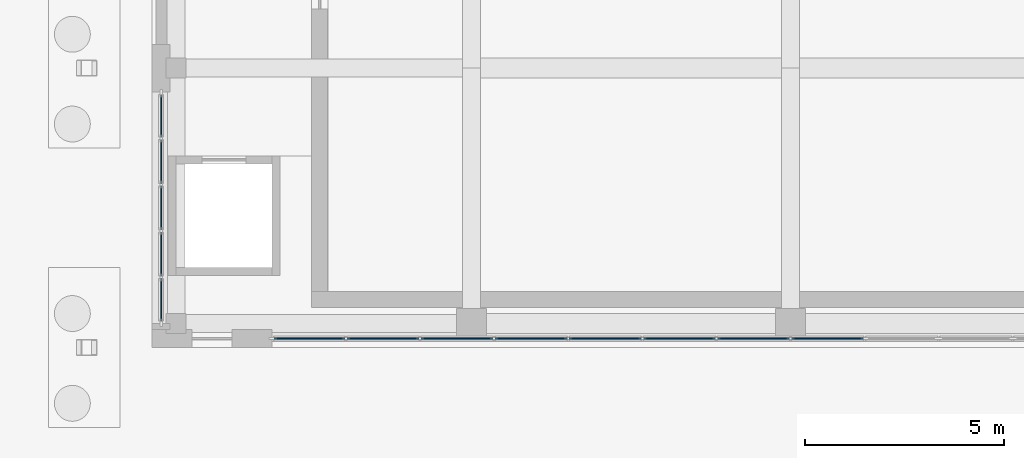
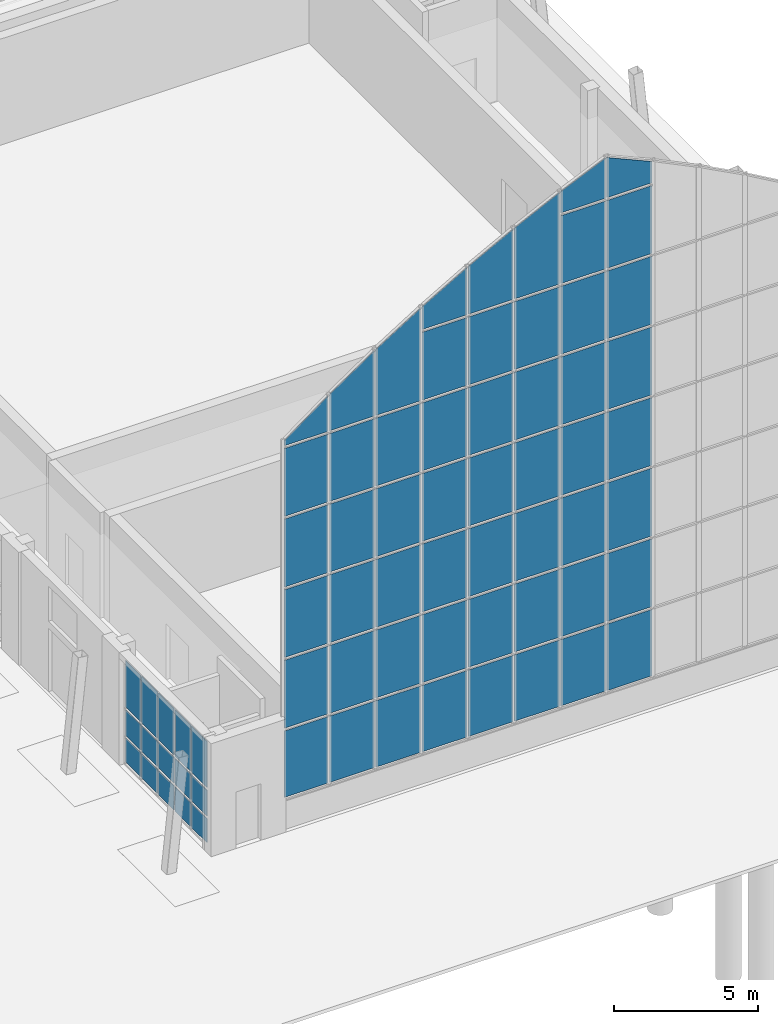
# One storey, part 92 of 144: 70 plates, 2 elements without a shape of their own.
"""IFC4 building model written with IfcOpenShell, lengths in metres."""

from ifc_helpers import new_model, si_unit, direction, frame, origin, origin_2d, place, context, subcontext, project, spatial, polyline, rectangle, outline, extrude, material, layer, layer_set, type_object, element, aggregate, save


model = new_model("IFC4")

# Units and contexts
model_context = context("Model", 3, precision=1e-05, world=origin(), true_north=direction((0.0, 1.0)))
body_context = subcontext(model_context, "Body", "Model", "MODEL_VIEW")
ifc_project = project(units=[si_unit("LENGTHUNIT", "METRE"), si_unit("AREAUNIT", "SQUARE_METRE"), si_unit("VOLUMEUNIT", "CUBIC_METRE"), si_unit("PLANEANGLEUNIT", "RADIAN"), si_unit("MASSUNIT", "GRAM", prefix="KILO")], contexts=[model_context])

# Site, building, storey
site_placement = place(None, origin())
site = spatial("IfcSite", under=ifc_project, at=site_placement, CompositionType="ELEMENT")
building_placement = place(site_placement, origin())
building = spatial("IfcBuilding", under=site, at=building_placement, Name="Lantern Court Media Centre", CompositionType="ELEMENT")
storey_placement = place(building_placement, origin())
storey = spatial("IfcBuildingStorey", under=building, at=storey_placement, Name="L00", CompositionType="ELEMENT", Elevation=0.0)

# Curtain wall, plates
ifc_material_1 = material(Name="Aluminium and glass", Category="aluminium")
ifc_layer_1 = layer(ifc_material_1, 0.14990234375)
ifc_layer_set_1 = layer_set([ifc_layer_1], Name="Aluminium and glass")
curtain_wall_type = type_object("IfcCurtainWallType", Name="Hall lancet glazing", PredefinedType="NOTDEFINED", material=ifc_layer_set_1)
curtain_wall_1_placement = place(storey_placement, origin())
curtain_wall_1 = element("IfcCurtainWall", 1, at=curtain_wall_1_placement, inside=storey, type_object=curtain_wall_type, Name="Studio Hall foyer glazing 1", PredefinedType="NOTDEFINED")
ifc_material_2 = material(Name="Laminated glass 6+6", Category="glass")
ifc_layer_2 = layer(ifc_material_2, 0.028076171875)
ifc_layer_set_2 = layer_set([ifc_layer_2], Name="Laminated glass 6+6")
plate_type = type_object("IfcPlateType", Name="HP", PredefinedType="CURTAIN_PANEL", material=ifc_layer_set_2)
plate_1_placement = place(storey_placement, frame((72.22509765625, -0.804931640625, 0.119873046875), z_axis=(0.0, 0.0, 1.0), x_axis=(0.0, 1.0, 0.0)))
plate_1 = element("IfcPlate", 2, at=plate_1_placement, type_object=plate_type, Name="HCW-V21 panel 1.1", PredefinedType="CURTAIN_PANEL", context=body_context, shape_type="SweptSolid", body=[
    extrude(rectangle(XDim=1.070068359375, YDim=0.028076171875, at=origin_2d()), origin(), (0.0, 0.0, 1.0), 1.02001953125),
])
plate_2_placement = place(storey_placement, frame((72.22509765625, -0.804931640625, 1.260009765625), z_axis=(0.0, 0.0, 1.0), x_axis=(0.0, 1.0, 0.0)))
plate_2 = element("IfcPlate", 3, at=plate_2_placement, type_object=plate_type, Name="HCW-V21 panel 1.2", PredefinedType="CURTAIN_PANEL", context=body_context, shape_type="SweptSolid", body=[
    extrude(rectangle(XDim=1.070068359375, YDim=0.028076171875, at=origin_2d()), origin(), (0.0, 0.0, 1.0), 1.080078125),
])
plate_3_placement = place(storey_placement, frame((72.22509765625, -0.804931640625, 2.4599609375), z_axis=(0.0, 0.0, 1.0), x_axis=(0.0, 1.0, 0.0)))
plate_3 = element("IfcPlate", 4, at=plate_3_placement, type_object=plate_type, Name="HCW-V21 panel 1.3", PredefinedType="CURTAIN_PANEL", context=body_context, shape_type="SweptSolid", body=[
    extrude(rectangle(XDim=1.070068359375, YDim=0.028076171875, at=origin_2d()), origin(), (0.0, 0.0, 1.0), 1.969970703125),
])
plate_4_placement = place(storey_placement, frame((72.22509765625, 0.340087890625, 0.119873046875), z_axis=(0.0, 0.0, 1.0), x_axis=(0.0, 1.0, 0.0)))
plate_4 = element("IfcPlate", 5, at=plate_4_placement, type_object=plate_type, Name="HCW-V21 panel 2.1", PredefinedType="CURTAIN_PANEL", context=body_context, shape_type="SweptSolid", body=[
    extrude(rectangle(XDim=1.10009765625, YDim=0.028076171875, at=origin_2d()), origin(), (0.0, 0.0, 1.0), 1.02001953125),
])
plate_5_placement = place(storey_placement, frame((72.22509765625, 0.340087890625, 1.260009765625), z_axis=(0.0, 0.0, 1.0), x_axis=(0.0, 1.0, 0.0)))
plate_5 = element("IfcPlate", 6, at=plate_5_placement, type_object=plate_type, Name="HCW-V21 panel 2.2", PredefinedType="CURTAIN_PANEL", context=body_context, shape_type="SweptSolid", body=[
    extrude(rectangle(XDim=1.10009765625, YDim=0.028076171875, at=origin_2d()), origin(), (0.0, 0.0, 1.0), 1.080078125),
])
plate_6_placement = place(storey_placement, frame((72.22509765625, 0.340087890625, 2.4599609375), z_axis=(0.0, 0.0, 1.0), x_axis=(0.0, 1.0, 0.0)))
plate_6 = element("IfcPlate", 7, at=plate_6_placement, type_object=plate_type, Name="HCW-V21 panel 2.3", PredefinedType="CURTAIN_PANEL", context=body_context, shape_type="SweptSolid", body=[
    extrude(rectangle(XDim=1.10009765625, YDim=0.028076171875, at=origin_2d()), origin(), (0.0, 0.0, 1.0), 1.969970703125),
])
plate_7_placement = place(storey_placement, frame((72.22509765625, 1.5, 0.119873046875), z_axis=(0.0, 0.0, 1.0), x_axis=(0.0, 1.0, 0.0)))
plate_7 = element("IfcPlate", 8, at=plate_7_placement, type_object=plate_type, Name="HCW-V21 panel 3.1", PredefinedType="CURTAIN_PANEL", context=body_context, shape_type="SweptSolid", body=[
    extrude(rectangle(XDim=1.10009765625, YDim=0.028076171875, at=origin_2d()), origin(), (0.0, 0.0, 1.0), 1.02001953125),
])
plate_8_placement = place(storey_placement, frame((72.22509765625, 1.5, 1.260009765625), z_axis=(0.0, 0.0, 1.0), x_axis=(0.0, 1.0, 0.0)))
plate_8 = element("IfcPlate", 9, at=plate_8_placement, type_object=plate_type, Name="HCW-V21 panel 3.2", PredefinedType="CURTAIN_PANEL", context=body_context, shape_type="SweptSolid", body=[
    extrude(rectangle(XDim=1.10009765625, YDim=0.028076171875, at=origin_2d()), origin(), (0.0, 0.0, 1.0), 1.080078125),
])
plate_9_placement = place(storey_placement, frame((72.22509765625, 1.5, 2.4599609375), z_axis=(0.0, 0.0, 1.0), x_axis=(0.0, 1.0, 0.0)))
plate_9 = element("IfcPlate", 10, at=plate_9_placement, type_object=plate_type, Name="HCW-V21 panel 3.3", PredefinedType="CURTAIN_PANEL", context=body_context, shape_type="SweptSolid", body=[
    extrude(rectangle(XDim=1.10009765625, YDim=0.028076171875, at=origin_2d()), origin(), (0.0, 0.0, 1.0), 1.969970703125),
])
plate_10_placement = place(storey_placement, frame((72.22509765625, 2.659912109375, 0.119873046875), z_axis=(0.0, 0.0, 1.0), x_axis=(0.0, 1.0, 0.0)))
plate_10 = element("IfcPlate", 11, at=plate_10_placement, type_object=plate_type, Name="HCW-V21 panel 4.1", PredefinedType="CURTAIN_PANEL", context=body_context, shape_type="SweptSolid", body=[
    extrude(rectangle(XDim=1.10009765625, YDim=0.028076171875, at=origin_2d()), origin(), (0.0, 0.0, 1.0), 1.02001953125),
])
plate_11_placement = place(storey_placement, frame((72.22509765625, 2.659912109375, 1.260009765625), z_axis=(0.0, 0.0, 1.0), x_axis=(0.0, 1.0, 0.0)))
plate_11 = element("IfcPlate", 12, at=plate_11_placement, type_object=plate_type, Name="HCW-V21 panel 4.2", PredefinedType="CURTAIN_PANEL", context=body_context, shape_type="SweptSolid", body=[
    extrude(rectangle(XDim=1.10009765625, YDim=0.028076171875, at=origin_2d()), origin(), (0.0, 0.0, 1.0), 1.080078125),
])
plate_12_placement = place(storey_placement, frame((72.22509765625, 2.659912109375, 2.4599609375), z_axis=(0.0, 0.0, 1.0), x_axis=(0.0, 1.0, 0.0)))
plate_12 = element("IfcPlate", 13, at=plate_12_placement, type_object=plate_type, Name="HCW-V21 panel 4.3", PredefinedType="CURTAIN_PANEL", context=body_context, shape_type="SweptSolid", body=[
    extrude(rectangle(XDim=1.10009765625, YDim=0.028076171875, at=origin_2d()), origin(), (0.0, 0.0, 1.0), 1.969970703125),
])
plate_13_placement = place(storey_placement, frame((72.22509765625, 3.804931640625, 0.119873046875), z_axis=(0.0, 0.0, 1.0), x_axis=(0.0, 1.0, 0.0)))
plate_13 = element("IfcPlate", 14, at=plate_13_placement, type_object=plate_type, Name="HCW-V21 panel 5.1", PredefinedType="CURTAIN_PANEL", context=body_context, shape_type="SweptSolid", body=[
    extrude(rectangle(XDim=1.070068359375, YDim=0.028076171875, at=origin_2d()), origin(), (0.0, 0.0, 1.0), 1.02001953125),
])
plate_14_placement = place(storey_placement, frame((72.22509765625, 3.804931640625, 1.260009765625), z_axis=(0.0, 0.0, 1.0), x_axis=(0.0, 1.0, 0.0)))
plate_14 = element("IfcPlate", 15, at=plate_14_placement, type_object=plate_type, Name="HCW-V21 panel 5.2", PredefinedType="CURTAIN_PANEL", context=body_context, shape_type="SweptSolid", body=[
    extrude(rectangle(XDim=1.070068359375, YDim=0.028076171875, at=origin_2d()), origin(), (0.0, 0.0, 1.0), 1.080078125),
])
plate_15_placement = place(storey_placement, frame((72.22509765625, 3.804931640625, 2.4599609375), z_axis=(0.0, 0.0, 1.0), x_axis=(0.0, 1.0, 0.0)))
plate_15 = element("IfcPlate", 16, at=plate_15_placement, type_object=plate_type, Name="HCW-V21 panel 5.3", PredefinedType="CURTAIN_PANEL", context=body_context, shape_type="SweptSolid", body=[
    extrude(rectangle(XDim=1.070068359375, YDim=0.028076171875, at=origin_2d()), origin(), (0.0, 0.0, 1.0), 1.969970703125),
])
aggregate(curtain_wall_1, [plate_1, plate_2, plate_3, plate_4, plate_5, plate_6, plate_7, plate_8, plate_9, plate_10, plate_11, plate_12, plate_13, plate_14, plate_15])

curtain_wall_2_placement = place(storey_placement, origin())
curtain_wall_2 = element("IfcCurtainWall", 17, at=curtain_wall_2_placement, inside=storey, type_object=curtain_wall_type, Name="Studio Hall HCW-V20 glazing", PredefinedType="NOTDEFINED")
plate_16_placement = place(storey_placement, frame((75.943603515625, -1.77490234375, 1.31982421875), z_axis=(0.0, 0.0, 1.0), x_axis=(1.0, 0.0, 0.0)))
plate_16 = element("IfcPlate", 18, at=plate_16_placement, type_object=plate_type, Name="HCW-V20 panel 1.1", PredefinedType="CURTAIN_PANEL", context=body_context, shape_type="SweptSolid", body=[
    extrude(rectangle(XDim=1.76708984375, YDim=0.028076171875, at=origin_2d()), origin(), (0.0, 0.0, 1.0), 2.820068359375),
])
plate_17_placement = place(storey_placement, frame((75.943603515625, -1.77490234375, 4.260009765625), z_axis=(0.0, 0.0, 1.0), x_axis=(1.0, 0.0, 0.0)))
plate_17 = element("IfcPlate", 19, at=plate_17_placement, type_object=plate_type, Name="HCW-V20 panel 1.2", PredefinedType="CURTAIN_PANEL", context=body_context, shape_type="SweptSolid", body=[
    extrude(rectangle(XDim=1.76708984375, YDim=0.028076171875, at=origin_2d()), origin(), (0.0, 0.0, 1.0), 2.8798828125),
])
plate_18_placement = place(storey_placement, frame((75.943603515625, -1.77490234375, 7.260009765625), z_axis=(0.0, 0.0, 1.0), x_axis=(1.0, 0.0, 0.0)))
plate_18 = element("IfcPlate", 20, at=plate_18_placement, type_object=plate_type, Name="HCW-V20 panel 1.3", PredefinedType="CURTAIN_PANEL", context=body_context, shape_type="SweptSolid", body=[
    extrude(rectangle(XDim=1.76708984375, YDim=0.028076171875, at=origin_2d()), origin(), (0.0, 0.0, 1.0), 2.8798828125),
])
plate_19_placement = place(storey_placement, frame((75.943603515625, -1.77490234375, 10.260009765625), z_axis=(0.0, 0.0, 1.0), x_axis=(1.0, 0.0, 0.0)))
plate_19 = element("IfcPlate", 21, at=plate_19_placement, type_object=plate_type, Name="HCW-V20 panel 1.4", PredefinedType="CURTAIN_PANEL", context=body_context, shape_type="SweptSolid", body=[
    extrude(rectangle(XDim=1.76708984375, YDim=0.028076171875, at=origin_2d()), origin(), (0.0, 0.0, 1.0), 2.8798828125),
])
plate_20_placement = place(storey_placement, frame((75.943603515625, -1.77490234375, 13.260009765625), z_axis=(0.0, 0.0, 1.0), x_axis=(1.0, 0.0, 0.0)))
plate_20 = element("IfcPlate", 22, at=plate_20_placement, type_object=plate_type, Name="HCW-V20 panel 1.5", PredefinedType="CURTAIN_PANEL", context=body_context, shape_type="SweptSolid", body=[
    extrude(rectangle(XDim=1.76708984375, YDim=0.028076171875, at=origin_2d()), origin(), (0.0, 0.0, 1.0), 2.8798828125),
])
plate_21_placement = place(storey_placement, frame((75.06005859375, -1.7890625, 16.260009765625), z_axis=(0.0, -1.0, 0.0), x_axis=(1.0, 0.0, 0.0)))
plate_21 = element("IfcPlate", 23, at=plate_21_placement, type_object=plate_type, Name="HCW-V20 head panel", PredefinedType="CURTAIN_PANEL", context=body_context, shape_type="SweptSolid", body=[
    extrude(outline(polyline([(0.0, 0.0), (1.76708984375, 0.0), (1.76708984375, 1.5078125), (0.0, 0.212646484375), (0.0, 0.0)])), origin(), (0.0, 0.0, -1.0), 0.028076171875),
])
plate_22_placement = place(storey_placement, frame((77.78564453125, -1.77490234375, 1.31982421875), z_axis=(0.0, 0.0, 1.0), x_axis=(1.0, 0.0, 0.0)))
plate_22 = element("IfcPlate", 24, at=plate_22_placement, type_object=plate_type, Name="HCW-V20 panel 2.1", PredefinedType="CURTAIN_PANEL", context=body_context, shape_type="SweptSolid", body=[
    extrude(rectangle(XDim=1.797119140625, YDim=0.028076171875, at=origin_2d()), origin(), (0.0, 0.0, 1.0), 2.820068359375),
])
plate_23_placement = place(storey_placement, frame((77.78564453125, -1.77490234375, 4.260009765625), z_axis=(0.0, 0.0, 1.0), x_axis=(1.0, 0.0, 0.0)))
plate_23 = element("IfcPlate", 25, at=plate_23_placement, type_object=plate_type, Name="HCW-V20 panel 2.2", PredefinedType="CURTAIN_PANEL", context=body_context, shape_type="SweptSolid", body=[
    extrude(rectangle(XDim=1.797119140625, YDim=0.028076171875, at=origin_2d()), origin(), (0.0, 0.0, 1.0), 2.8798828125),
])
plate_24_placement = place(storey_placement, frame((77.78564453125, -1.77490234375, 7.260009765625), z_axis=(0.0, 0.0, 1.0), x_axis=(1.0, 0.0, 0.0)))
plate_24 = element("IfcPlate", 26, at=plate_24_placement, type_object=plate_type, Name="HCW-V20 panel 2.3", PredefinedType="CURTAIN_PANEL", context=body_context, shape_type="SweptSolid", body=[
    extrude(rectangle(XDim=1.797119140625, YDim=0.028076171875, at=origin_2d()), origin(), (0.0, 0.0, 1.0), 2.8798828125),
])
plate_25_placement = place(storey_placement, frame((77.78564453125, -1.77490234375, 10.260009765625), z_axis=(0.0, 0.0, 1.0), x_axis=(1.0, 0.0, 0.0)))
plate_25 = element("IfcPlate", 27, at=plate_25_placement, type_object=plate_type, Name="HCW-V20 panel 2.4", PredefinedType="CURTAIN_PANEL", context=body_context, shape_type="SweptSolid", body=[
    extrude(rectangle(XDim=1.797119140625, YDim=0.028076171875, at=origin_2d()), origin(), (0.0, 0.0, 1.0), 2.8798828125),
])
plate_26_placement = place(storey_placement, frame((77.78564453125, -1.77490234375, 13.260009765625), z_axis=(0.0, 0.0, 1.0), x_axis=(1.0, 0.0, 0.0)))
plate_26 = element("IfcPlate", 28, at=plate_26_placement, type_object=plate_type, Name="HCW-V20 panel 2.5", PredefinedType="CURTAIN_PANEL", context=body_context, shape_type="SweptSolid", body=[
    extrude(rectangle(XDim=1.797119140625, YDim=0.028076171875, at=origin_2d()), origin(), (0.0, 0.0, 1.0), 2.8798828125),
])
plate_27_placement = place(storey_placement, frame((76.88720703125, -1.7890625, 16.260009765625), z_axis=(0.0, -1.0, 0.0), x_axis=(1.0, 0.0, 0.0)))
plate_27 = element("IfcPlate", 29, at=plate_27_placement, type_object=plate_type, Name="HCW-V20 head panel", PredefinedType="CURTAIN_PANEL", context=body_context, shape_type="SweptSolid", body=[
    extrude(outline(polyline([(0.0, 0.0), (1.797119140625, 0.0), (1.797119140625, 2.76611328125), (0.0, 1.550048828125), (0.0, 0.0)])), origin(), (0.0, 0.0, -1.0), 0.028076171875),
])
plate_28_placement = place(storey_placement, frame((79.642822265625, -1.77490234375, 1.31982421875), z_axis=(0.0, 0.0, 1.0), x_axis=(1.0, 0.0, 0.0)))
plate_28 = element("IfcPlate", 30, at=plate_28_placement, type_object=plate_type, Name="HCW-V20 panel 3.1", PredefinedType="CURTAIN_PANEL", context=body_context, shape_type="SweptSolid", body=[
    extrude(rectangle(XDim=1.797119140625, YDim=0.028076171875, at=origin_2d()), origin(), (0.0, 0.0, 1.0), 2.820068359375),
])
plate_29_placement = place(storey_placement, frame((79.642822265625, -1.77490234375, 4.260009765625), z_axis=(0.0, 0.0, 1.0), x_axis=(1.0, 0.0, 0.0)))
plate_29 = element("IfcPlate", 31, at=plate_29_placement, type_object=plate_type, Name="HCW-V20 panel 3.2", PredefinedType="CURTAIN_PANEL", context=body_context, shape_type="SweptSolid", body=[
    extrude(rectangle(XDim=1.797119140625, YDim=0.028076171875, at=origin_2d()), origin(), (0.0, 0.0, 1.0), 2.8798828125),
])
plate_30_placement = place(storey_placement, frame((79.642822265625, -1.77490234375, 7.260009765625), z_axis=(0.0, 0.0, 1.0), x_axis=(1.0, 0.0, 0.0)))
plate_30 = element("IfcPlate", 32, at=plate_30_placement, type_object=plate_type, Name="HCW-V20 panel 3.3", PredefinedType="CURTAIN_PANEL", context=body_context, shape_type="SweptSolid", body=[
    extrude(rectangle(XDim=1.797119140625, YDim=0.028076171875, at=origin_2d()), origin(), (0.0, 0.0, 1.0), 2.8798828125),
])
plate_31_placement = place(storey_placement, frame((79.642822265625, -1.77490234375, 10.260009765625), z_axis=(0.0, 0.0, 1.0), x_axis=(1.0, 0.0, 0.0)))
plate_31 = element("IfcPlate", 33, at=plate_31_placement, type_object=plate_type, Name="HCW-V20 panel 3.4", PredefinedType="CURTAIN_PANEL", context=body_context, shape_type="SweptSolid", body=[
    extrude(rectangle(XDim=1.797119140625, YDim=0.028076171875, at=origin_2d()), origin(), (0.0, 0.0, 1.0), 2.8798828125),
])
plate_32_placement = place(storey_placement, frame((79.642822265625, -1.77490234375, 13.260009765625), z_axis=(0.0, 0.0, 1.0), x_axis=(1.0, 0.0, 0.0)))
plate_32 = element("IfcPlate", 34, at=plate_32_placement, type_object=plate_type, Name="HCW-V20 panel 3.5", PredefinedType="CURTAIN_PANEL", context=body_context, shape_type="SweptSolid", body=[
    extrude(rectangle(XDim=1.797119140625, YDim=0.028076171875, at=origin_2d()), origin(), (0.0, 0.0, 1.0), 2.8798828125),
])
plate_33_placement = place(storey_placement, frame((78.744384765625, -1.7890625, 16.260009765625), z_axis=(0.0, -1.0, 0.0), x_axis=(1.0, 0.0, 0.0)))
plate_33 = element("IfcPlate", 35, at=plate_33_placement, type_object=plate_type, Name="HCW-V20 head panel", PredefinedType="CURTAIN_PANEL", context=body_context, shape_type="SweptSolid", body=[
    extrude(outline(polyline([(0.0, 0.0), (1.797119140625, 0.0), (1.797119140625, 3.926513671875), (0.0, 2.804931640625), (0.0, 0.0)])), origin(), (0.0, 0.0, -1.0), 0.028076171875),
])
plate_34_placement = place(storey_placement, frame((81.5, -1.77490234375, 1.31982421875), z_axis=(0.0, 0.0, 1.0), x_axis=(1.0, 0.0, 0.0)))
plate_34 = element("IfcPlate", 36, at=plate_34_placement, type_object=plate_type, Name="HCW-V20 panel 4.1", PredefinedType="CURTAIN_PANEL", context=body_context, shape_type="SweptSolid", body=[
    extrude(rectangle(XDim=1.797119140625, YDim=0.028076171875, at=origin_2d()), origin(), (0.0, 0.0, 1.0), 2.820068359375),
])
plate_35_placement = place(storey_placement, frame((81.5, -1.77490234375, 4.260009765625), z_axis=(0.0, 0.0, 1.0), x_axis=(1.0, 0.0, 0.0)))
plate_35 = element("IfcPlate", 37, at=plate_35_placement, type_object=plate_type, Name="HCW-V20 panel 4.2", PredefinedType="CURTAIN_PANEL", context=body_context, shape_type="SweptSolid", body=[
    extrude(rectangle(XDim=1.797119140625, YDim=0.028076171875, at=origin_2d()), origin(), (0.0, 0.0, 1.0), 2.8798828125),
])
plate_36_placement = place(storey_placement, frame((81.5, -1.77490234375, 7.260009765625), z_axis=(0.0, 0.0, 1.0), x_axis=(1.0, 0.0, 0.0)))
plate_36 = element("IfcPlate", 38, at=plate_36_placement, type_object=plate_type, Name="HCW-V20 panel 4.3", PredefinedType="CURTAIN_PANEL", context=body_context, shape_type="SweptSolid", body=[
    extrude(rectangle(XDim=1.797119140625, YDim=0.028076171875, at=origin_2d()), origin(), (0.0, 0.0, 1.0), 2.8798828125),
])
plate_37_placement = place(storey_placement, frame((81.5, -1.77490234375, 10.260009765625), z_axis=(0.0, 0.0, 1.0), x_axis=(1.0, 0.0, 0.0)))
plate_37 = element("IfcPlate", 39, at=plate_37_placement, type_object=plate_type, Name="HCW-V20 panel 4.4", PredefinedType="CURTAIN_PANEL", context=body_context, shape_type="SweptSolid", body=[
    extrude(rectangle(XDim=1.797119140625, YDim=0.028076171875, at=origin_2d()), origin(), (0.0, 0.0, 1.0), 2.8798828125),
])
plate_38_placement = place(storey_placement, frame((81.5, -1.77490234375, 13.260009765625), z_axis=(0.0, 0.0, 1.0), x_axis=(1.0, 0.0, 0.0)))
plate_38 = element("IfcPlate", 40, at=plate_38_placement, type_object=plate_type, Name="HCW-V20 panel 4.5", PredefinedType="CURTAIN_PANEL", context=body_context, shape_type="SweptSolid", body=[
    extrude(rectangle(XDim=1.797119140625, YDim=0.028076171875, at=origin_2d()), origin(), (0.0, 0.0, 1.0), 2.8798828125),
])
plate_39_placement = place(storey_placement, frame((81.5, -1.77490234375, 16.260009765625), z_axis=(0.0, 0.0, 1.0), x_axis=(1.0, 0.0, 0.0)))
plate_39 = element("IfcPlate", 41, at=plate_39_placement, type_object=plate_type, Name="HCW-V20 panel 4.6", PredefinedType="CURTAIN_PANEL", context=body_context, shape_type="SweptSolid", body=[
    extrude(rectangle(XDim=1.797119140625, YDim=0.028076171875, at=origin_2d()), origin(), (0.0, 0.0, 1.0), 2.8798828125),
])
plate_40_placement = place(storey_placement, frame((80.601318359375, -1.7890625, 19.260009765625), z_axis=(0.0, -1.0, 0.0), x_axis=(1.0, 0.0, 0.0)))
plate_40 = element("IfcPlate", 42, at=plate_40_placement, type_object=plate_type, Name="HCW-V20 head panel", PredefinedType="CURTAIN_PANEL", context=body_context, shape_type="SweptSolid", body=[
    extrude(outline(polyline([(0.0, 0.0), (1.79736328125, 0.0), (1.79736328125, 1.995849609375), (0.0, 0.962646484375), (0.0, 0.0)])), origin(), (0.0, 0.0, -1.0), 0.028076171875),
])
plate_41_placement = place(storey_placement, frame((83.357177734375, -1.77490234375, 1.31982421875), z_axis=(0.0, 0.0, 1.0), x_axis=(1.0, 0.0, 0.0)))
plate_41 = element("IfcPlate", 43, at=plate_41_placement, type_object=plate_type, Name="HCW-V20 panel 5.1", PredefinedType="CURTAIN_PANEL", context=body_context, shape_type="SweptSolid", body=[
    extrude(rectangle(XDim=1.797119140625, YDim=0.028076171875, at=origin_2d()), origin(), (0.0, 0.0, 1.0), 2.820068359375),
])
plate_42_placement = place(storey_placement, frame((83.357177734375, -1.77490234375, 4.260009765625), z_axis=(0.0, 0.0, 1.0), x_axis=(1.0, 0.0, 0.0)))
plate_42 = element("IfcPlate", 44, at=plate_42_placement, type_object=plate_type, Name="HCW-V20 panel 5.2", PredefinedType="CURTAIN_PANEL", context=body_context, shape_type="SweptSolid", body=[
    extrude(rectangle(XDim=1.797119140625, YDim=0.028076171875, at=origin_2d()), origin(), (0.0, 0.0, 1.0), 2.8798828125),
])
plate_43_placement = place(storey_placement, frame((83.357177734375, -1.77490234375, 7.260009765625), z_axis=(0.0, 0.0, 1.0), x_axis=(1.0, 0.0, 0.0)))
plate_43 = element("IfcPlate", 45, at=plate_43_placement, type_object=plate_type, Name="HCW-V20 panel 5.3", PredefinedType="CURTAIN_PANEL", context=body_context, shape_type="SweptSolid", body=[
    extrude(rectangle(XDim=1.797119140625, YDim=0.028076171875, at=origin_2d()), origin(), (0.0, 0.0, 1.0), 2.8798828125),
])
plate_44_placement = place(storey_placement, frame((83.357177734375, -1.77490234375, 10.260009765625), z_axis=(0.0, 0.0, 1.0), x_axis=(1.0, 0.0, 0.0)))
plate_44 = element("IfcPlate", 46, at=plate_44_placement, type_object=plate_type, Name="HCW-V20 panel 5.4", PredefinedType="CURTAIN_PANEL", context=body_context, shape_type="SweptSolid", body=[
    extrude(rectangle(XDim=1.797119140625, YDim=0.028076171875, at=origin_2d()), origin(), (0.0, 0.0, 1.0), 2.8798828125),
])
plate_45_placement = place(storey_placement, frame((83.357177734375, -1.77490234375, 13.260009765625), z_axis=(0.0, 0.0, 1.0), x_axis=(1.0, 0.0, 0.0)))
plate_45 = element("IfcPlate", 47, at=plate_45_placement, type_object=plate_type, Name="HCW-V20 panel 5.5", PredefinedType="CURTAIN_PANEL", context=body_context, shape_type="SweptSolid", body=[
    extrude(rectangle(XDim=1.797119140625, YDim=0.028076171875, at=origin_2d()), origin(), (0.0, 0.0, 1.0), 2.8798828125),
])
plate_46_placement = place(storey_placement, frame((83.357177734375, -1.77490234375, 16.260009765625), z_axis=(0.0, 0.0, 1.0), x_axis=(1.0, 0.0, 0.0)))
plate_46 = element("IfcPlate", 48, at=plate_46_placement, type_object=plate_type, Name="HCW-V20 panel 5.6", PredefinedType="CURTAIN_PANEL", context=body_context, shape_type="SweptSolid", body=[
    extrude(rectangle(XDim=1.797119140625, YDim=0.028076171875, at=origin_2d()), origin(), (0.0, 0.0, 1.0), 2.8798828125),
])
plate_47_placement = place(storey_placement, frame((82.45849609375, -1.7890625, 19.260009765625), z_axis=(0.0, -1.0, 0.0), x_axis=(1.0, 0.0, 0.0)))
plate_47 = element("IfcPlate", 49, at=plate_47_placement, type_object=plate_type, Name="HCW-V20 head panel", PredefinedType="CURTAIN_PANEL", context=body_context, shape_type="SweptSolid", body=[
    extrude(outline(polyline([(0.0, 0.0), (1.797119140625, 0.0), (1.797119140625, 2.9794921875), (0.0, 2.029052734375), (0.0, 0.0)])), origin(), (0.0, 0.0, -1.0), 0.028076171875),
])
plate_48_placement = place(storey_placement, frame((85.21435546875, -1.77490234375, 1.31982421875), z_axis=(0.0, 0.0, 1.0), x_axis=(1.0, 0.0, 0.0)))
plate_48 = element("IfcPlate", 50, at=plate_48_placement, type_object=plate_type, Name="HCW-V20 panel 6.1", PredefinedType="CURTAIN_PANEL", context=body_context, shape_type="SweptSolid", body=[
    extrude(rectangle(XDim=1.797119140625, YDim=0.028076171875, at=origin_2d()), origin(), (0.0, 0.0, 1.0), 2.820068359375),
])
plate_49_placement = place(storey_placement, frame((85.21435546875, -1.77490234375, 4.260009765625), z_axis=(0.0, 0.0, 1.0), x_axis=(1.0, 0.0, 0.0)))
plate_49 = element("IfcPlate", 51, at=plate_49_placement, type_object=plate_type, Name="HCW-V20 panel 6.2", PredefinedType="CURTAIN_PANEL", context=body_context, shape_type="SweptSolid", body=[
    extrude(rectangle(XDim=1.797119140625, YDim=0.028076171875, at=origin_2d()), origin(), (0.0, 0.0, 1.0), 2.8798828125),
])
plate_50_placement = place(storey_placement, frame((85.21435546875, -1.77490234375, 7.260009765625), z_axis=(0.0, 0.0, 1.0), x_axis=(1.0, 0.0, 0.0)))
plate_50 = element("IfcPlate", 52, at=plate_50_placement, type_object=plate_type, Name="HCW-V20 panel 6.3", PredefinedType="CURTAIN_PANEL", context=body_context, shape_type="SweptSolid", body=[
    extrude(rectangle(XDim=1.797119140625, YDim=0.028076171875, at=origin_2d()), origin(), (0.0, 0.0, 1.0), 2.8798828125),
])
plate_51_placement = place(storey_placement, frame((85.21435546875, -1.77490234375, 10.260009765625), z_axis=(0.0, 0.0, 1.0), x_axis=(1.0, 0.0, 0.0)))
plate_51 = element("IfcPlate", 53, at=plate_51_placement, type_object=plate_type, Name="HCW-V20 panel 6.4", PredefinedType="CURTAIN_PANEL", context=body_context, shape_type="SweptSolid", body=[
    extrude(rectangle(XDim=1.797119140625, YDim=0.028076171875, at=origin_2d()), origin(), (0.0, 0.0, 1.0), 2.8798828125),
])
plate_52_placement = place(storey_placement, frame((85.21435546875, -1.77490234375, 13.260009765625), z_axis=(0.0, 0.0, 1.0), x_axis=(1.0, 0.0, 0.0)))
plate_52 = element("IfcPlate", 54, at=plate_52_placement, type_object=plate_type, Name="HCW-V20 panel 6.5", PredefinedType="CURTAIN_PANEL", context=body_context, shape_type="SweptSolid", body=[
    extrude(rectangle(XDim=1.797119140625, YDim=0.028076171875, at=origin_2d()), origin(), (0.0, 0.0, 1.0), 2.8798828125),
])
plate_53_placement = place(storey_placement, frame((85.21435546875, -1.77490234375, 16.260009765625), z_axis=(0.0, 0.0, 1.0), x_axis=(1.0, 0.0, 0.0)))
plate_53 = element("IfcPlate", 55, at=plate_53_placement, type_object=plate_type, Name="HCW-V20 panel 6.6", PredefinedType="CURTAIN_PANEL", context=body_context, shape_type="SweptSolid", body=[
    extrude(rectangle(XDim=1.797119140625, YDim=0.028076171875, at=origin_2d()), origin(), (0.0, 0.0, 1.0), 2.8798828125),
])
plate_54_placement = place(storey_placement, frame((84.315673828125, -1.7890625, 19.260009765625), z_axis=(0.0, -1.0, 0.0), x_axis=(1.0, 0.0, 0.0)))
plate_54 = element("IfcPlate", 56, at=plate_54_placement, type_object=plate_type, Name="HCW-V20 head panel", PredefinedType="CURTAIN_PANEL", context=body_context, shape_type="SweptSolid", body=[
    extrude(outline(polyline([(0.0, 0.0), (1.797119140625, 0.0), (1.797119140625, 3.8818359375), (0.0, 3.010009765625), (0.0, 0.0)])), origin(), (0.0, 0.0, -1.0), 0.028076171875),
])
plate_55_placement = place(storey_placement, frame((87.071533203125, -1.77490234375, 1.31982421875), z_axis=(0.0, 0.0, 1.0), x_axis=(1.0, 0.0, 0.0)))
plate_55 = element("IfcPlate", 57, at=plate_55_placement, type_object=plate_type, Name="HCW-V20 panel 7.1", PredefinedType="CURTAIN_PANEL", context=body_context, shape_type="SweptSolid", body=[
    extrude(rectangle(XDim=1.797119140625, YDim=0.028076171875, at=origin_2d()), origin(), (0.0, 0.0, 1.0), 2.820068359375),
])
plate_56_placement = place(storey_placement, frame((87.071533203125, -1.77490234375, 4.260009765625), z_axis=(0.0, 0.0, 1.0), x_axis=(1.0, 0.0, 0.0)))
plate_56 = element("IfcPlate", 58, at=plate_56_placement, type_object=plate_type, Name="HCW-V20 panel 7.2", PredefinedType="CURTAIN_PANEL", context=body_context, shape_type="SweptSolid", body=[
    extrude(rectangle(XDim=1.797119140625, YDim=0.028076171875, at=origin_2d()), origin(), (0.0, 0.0, 1.0), 2.8798828125),
])
plate_57_placement = place(storey_placement, frame((87.071533203125, -1.77490234375, 7.260009765625), z_axis=(0.0, 0.0, 1.0), x_axis=(1.0, 0.0, 0.0)))
plate_57 = element("IfcPlate", 59, at=plate_57_placement, type_object=plate_type, Name="HCW-V20 panel 7.3", PredefinedType="CURTAIN_PANEL", context=body_context, shape_type="SweptSolid", body=[
    extrude(rectangle(XDim=1.797119140625, YDim=0.028076171875, at=origin_2d()), origin(), (0.0, 0.0, 1.0), 2.8798828125),
])
plate_58_placement = place(storey_placement, frame((87.071533203125, -1.77490234375, 10.260009765625), z_axis=(0.0, 0.0, 1.0), x_axis=(1.0, 0.0, 0.0)))
plate_58 = element("IfcPlate", 60, at=plate_58_placement, type_object=plate_type, Name="HCW-V20 panel 7.4", PredefinedType="CURTAIN_PANEL", context=body_context, shape_type="SweptSolid", body=[
    extrude(rectangle(XDim=1.797119140625, YDim=0.028076171875, at=origin_2d()), origin(), (0.0, 0.0, 1.0), 2.8798828125),
])
plate_59_placement = place(storey_placement, frame((87.071533203125, -1.77490234375, 13.260009765625), z_axis=(0.0, 0.0, 1.0), x_axis=(1.0, 0.0, 0.0)))
plate_59 = element("IfcPlate", 61, at=plate_59_placement, type_object=plate_type, Name="HCW-V20 panel 7.5", PredefinedType="CURTAIN_PANEL", context=body_context, shape_type="SweptSolid", body=[
    extrude(rectangle(XDim=1.797119140625, YDim=0.028076171875, at=origin_2d()), origin(), (0.0, 0.0, 1.0), 2.8798828125),
])
plate_60_placement = place(storey_placement, frame((87.071533203125, -1.77490234375, 16.260009765625), z_axis=(0.0, 0.0, 1.0), x_axis=(1.0, 0.0, 0.0)))
plate_60 = element("IfcPlate", 62, at=plate_60_placement, type_object=plate_type, Name="HCW-V20 panel 7.6", PredefinedType="CURTAIN_PANEL", context=body_context, shape_type="SweptSolid", body=[
    extrude(rectangle(XDim=1.797119140625, YDim=0.028076171875, at=origin_2d()), origin(), (0.0, 0.0, 1.0), 2.8798828125),
])
plate_61_placement = place(storey_placement, frame((87.071533203125, -1.77490234375, 19.260009765625), z_axis=(0.0, 0.0, 1.0), x_axis=(1.0, 0.0, 0.0)))
plate_61 = element("IfcPlate", 63, at=plate_61_placement, type_object=plate_type, Name="HCW-V20 panel 7.7", PredefinedType="CURTAIN_PANEL", context=body_context, shape_type="SweptSolid", body=[
    extrude(rectangle(XDim=1.797119140625, YDim=0.028076171875, at=origin_2d()), origin(), (0.0, 0.0, 1.0), 2.8798828125),
])
plate_62_placement = place(storey_placement, frame((86.1728515625, -1.7890625, 22.260009765625), z_axis=(0.0, -1.0, 0.0), x_axis=(1.0, 0.0, 0.0)))
plate_62 = element("IfcPlate", 64, at=plate_62_placement, type_object=plate_type, Name="HCW-V20 head panel", PredefinedType="CURTAIN_PANEL", context=body_context, shape_type="SweptSolid", body=[
    extrude(outline(polyline([(0.0, 0.0), (1.797119140625, 0.0), (1.797119140625, 1.707275390625), (0.0, 0.909912109375), (0.0, 0.0)])), origin(), (0.0, 0.0, -1.0), 0.028076171875),
])
plate_63_placement = place(storey_placement, frame((88.928466796875, -1.77490234375, 1.31982421875), z_axis=(0.0, 0.0, 1.0), x_axis=(1.0, 0.0, 0.0)))
plate_63 = element("IfcPlate", 65, at=plate_63_placement, type_object=plate_type, Name="HCW-V20 panel 8.1", PredefinedType="CURTAIN_PANEL", context=body_context, shape_type="SweptSolid", body=[
    extrude(rectangle(XDim=1.797119140625, YDim=0.028076171875, at=origin_2d()), origin(), (0.0, 0.0, 1.0), 2.820068359375),
])
plate_64_placement = place(storey_placement, frame((88.928466796875, -1.77490234375, 4.260009765625), z_axis=(0.0, 0.0, 1.0), x_axis=(1.0, 0.0, 0.0)))
plate_64 = element("IfcPlate", 66, at=plate_64_placement, type_object=plate_type, Name="HCW-V20 panel 8.2", PredefinedType="CURTAIN_PANEL", context=body_context, shape_type="SweptSolid", body=[
    extrude(rectangle(XDim=1.797119140625, YDim=0.028076171875, at=origin_2d()), origin(), (0.0, 0.0, 1.0), 2.8798828125),
])
plate_65_placement = place(storey_placement, frame((88.928466796875, -1.77490234375, 7.260009765625), z_axis=(0.0, 0.0, 1.0), x_axis=(1.0, 0.0, 0.0)))
plate_65 = element("IfcPlate", 67, at=plate_65_placement, type_object=plate_type, Name="HCW-V20 panel 8.3", PredefinedType="CURTAIN_PANEL", context=body_context, shape_type="SweptSolid", body=[
    extrude(rectangle(XDim=1.797119140625, YDim=0.028076171875, at=origin_2d()), origin(), (0.0, 0.0, 1.0), 2.8798828125),
])
plate_66_placement = place(storey_placement, frame((88.928466796875, -1.77490234375, 10.260009765625), z_axis=(0.0, 0.0, 1.0), x_axis=(1.0, 0.0, 0.0)))
plate_66 = element("IfcPlate", 68, at=plate_66_placement, type_object=plate_type, Name="HCW-V20 panel 8.4", PredefinedType="CURTAIN_PANEL", context=body_context, shape_type="SweptSolid", body=[
    extrude(rectangle(XDim=1.797119140625, YDim=0.028076171875, at=origin_2d()), origin(), (0.0, 0.0, 1.0), 2.8798828125),
])
plate_67_placement = place(storey_placement, frame((88.928466796875, -1.77490234375, 13.260009765625), z_axis=(0.0, 0.0, 1.0), x_axis=(1.0, 0.0, 0.0)))
plate_67 = element("IfcPlate", 69, at=plate_67_placement, type_object=plate_type, Name="HCW-V20 panel 8.5", PredefinedType="CURTAIN_PANEL", context=body_context, shape_type="SweptSolid", body=[
    extrude(rectangle(XDim=1.797119140625, YDim=0.028076171875, at=origin_2d()), origin(), (0.0, 0.0, 1.0), 2.8798828125),
])
plate_68_placement = place(storey_placement, frame((88.928466796875, -1.77490234375, 16.260009765625), z_axis=(0.0, 0.0, 1.0), x_axis=(1.0, 0.0, 0.0)))
plate_68 = element("IfcPlate", 70, at=plate_68_placement, type_object=plate_type, Name="HCW-V20 panel 8.6", PredefinedType="CURTAIN_PANEL", context=body_context, shape_type="SweptSolid", body=[
    extrude(rectangle(XDim=1.797119140625, YDim=0.028076171875, at=origin_2d()), origin(), (0.0, 0.0, 1.0), 2.8798828125),
])
plate_69_placement = place(storey_placement, frame((88.928466796875, -1.77490234375, 19.260009765625), z_axis=(0.0, 0.0, 1.0), x_axis=(1.0, 0.0, 0.0)))
plate_69 = element("IfcPlate", 71, at=plate_69_placement, type_object=plate_type, Name="HCW-V20 panel 8.7", PredefinedType="CURTAIN_PANEL", context=body_context, shape_type="SweptSolid", body=[
    extrude(rectangle(XDim=1.797119140625, YDim=0.028076171875, at=origin_2d()), origin(), (0.0, 0.0, 1.0), 2.8798828125),
])
plate_70_placement = place(storey_placement, frame((88.030029296875, -1.7890625, 22.260009765625), z_axis=(0.0, -1.0, 0.0), x_axis=(1.0, 0.0, 0.0)))
plate_70 = element("IfcPlate", 72, at=plate_70_placement, type_object=plate_type, Name="HCW-V20 head panel", PredefinedType="CURTAIN_PANEL", context=body_context, shape_type="SweptSolid", body=[
    extrude(outline(polyline([(0.0, 0.0), (1.797119140625, 0.0), (1.797119140625, 0.909912109375), (0.0, 1.707275390625), (0.0, 0.0)])), origin(), (0.0, 0.0, -1.0), 0.028076171875),
])
aggregate(curtain_wall_2, [plate_16, plate_17, plate_18, plate_19, plate_20, plate_21, plate_22, plate_23, plate_24, plate_25, plate_26, plate_27, plate_28, plate_29, plate_30, plate_31, plate_32, plate_33, plate_34, plate_35, plate_36, plate_37, plate_38, plate_39, plate_40, plate_41, plate_42, plate_43, plate_44, plate_45, plate_46, plate_47, plate_48, plate_49, plate_50, plate_51, plate_52, plate_53, plate_54, plate_55, plate_56, plate_57, plate_58, plate_59, plate_60, plate_61, plate_62, plate_63, plate_64, plate_65, plate_66, plate_67, plate_68, plate_69, plate_70])

save(model, "model.ifc")
